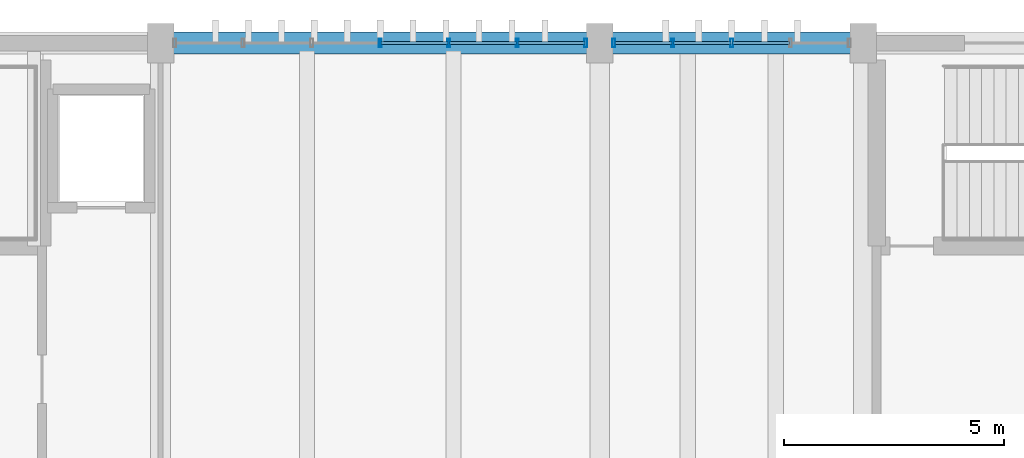
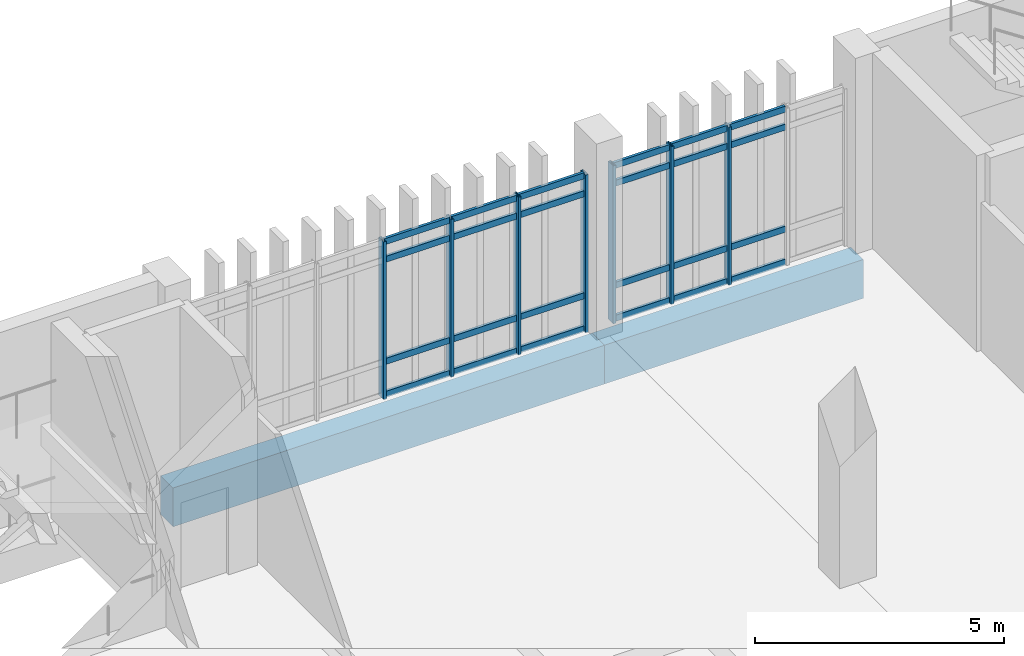
# One storey, part 54 of 87: 31 members, 2 beams, 2 elements without a shape of their own.
"""IFC4 building model written with IfcOpenShell, lengths in metres."""

from ifc_helpers import new_model, si_unit, direction, frame, origin, origin_2d, place, context, subcontext, project, spatial, rectangle, hollow_rectangle, extrude, material, layer, layer_set, material_profile, profile_set, type_object, element, aggregate, save


model = new_model("IFC4")

# Units and contexts
model_context = context("Model", 3, precision=1e-05, world=origin(), true_north=direction((0.0, 1.0)))
body_context = subcontext(model_context, "Body", "Model", "MODEL_VIEW")
ifc_project = project(units=[si_unit("LENGTHUNIT", "METRE"), si_unit("AREAUNIT", "SQUARE_METRE"), si_unit("VOLUMEUNIT", "CUBIC_METRE"), si_unit("PLANEANGLEUNIT", "RADIAN"), si_unit("MASSUNIT", "GRAM", prefix="KILO")], contexts=[model_context])

# Site, building, storey
site_placement = place(None, origin())
site = spatial("IfcSite", under=ifc_project, at=site_placement, CompositionType="ELEMENT")
building_placement = place(site_placement, origin())
building = spatial("IfcBuilding", under=site, at=building_placement, Name="Mersad Railyard Sports Hall", CompositionType="ELEMENT")
storey_placement = place(building_placement, origin())
storey = spatial("IfcBuildingStorey", under=building, at=storey_placement, Name="L00", CompositionType="ELEMENT", Elevation=0.0)

# Curtain wall, members
ifc_material_1 = material(Name="Aluminium 6063-T6", Category="aluminium")
ifc_layer_1 = layer(ifc_material_1, 0.199951171875)
ifc_layer_set_1 = layer_set([ifc_layer_1], Name="Aluminium 6063-T6")
curtain_wall_type_1 = type_object("IfcCurtainWallType", Name="ARC-CW-CW29", PredefinedType="USERDEFINED", material=ifc_layer_set_1)
curtain_wall_1_placement = place(storey_placement, origin())
curtain_wall_1 = element("IfcCurtainWall", 1, at=curtain_wall_1_placement, inside=storey, type_object=curtain_wall_type_1, Name="Curtain wall CW29-0086", ObjectType="CURTAIN WALL", PredefinedType="USERDEFINED")
ifc_material_profile_1 = material_profile(ifc_material_1, hollow_rectangle(XDim=0.06494140625, YDim=0.199951171875, WallThickness=0.0048828125, at=origin_2d()), Name="AL MULLION 65x200x5")
ifc_profile_set_1 = profile_set([ifc_material_profile_1], Name="Aluminium 6063-T6")
member_type_1 = type_object("IfcMemberType", Name="ARC-CW-MUL02", PredefinedType="MULLION", material=ifc_profile_set_1)
member_1_placement = place(storey_placement, frame((126.0, 115.0, -0.02001953125), z_axis=(0.0, 0.0, 1.0), x_axis=(1.0, 0.0, 0.0)))
member_1 = element("IfcMember", 2, at=member_1_placement, type_object=member_type_1, Name="CW29 Mullion 4", PredefinedType="MULLION", context=body_context, shape_type="SweptSolid", body=[
    extrude(hollow_rectangle(XDim=0.06494140625, YDim=0.199951171875, WallThickness=0.0048828125, at=origin_2d()), origin(), (0.0, 0.0, 1.0), 3.8701171875),
])
member_2_placement = place(storey_placement, frame((127.56005859375, 115.0, -0.02001953125), z_axis=(0.0, 0.0, 1.0), x_axis=(1.0, 0.0, 0.0)))
member_2 = element("IfcMember", 3, at=member_2_placement, type_object=member_type_1, Name="CW29 Mullion 5", PredefinedType="MULLION", context=body_context, shape_type="SweptSolid", body=[
    extrude(hollow_rectangle(XDim=0.06494140625, YDim=0.199951171875, WallThickness=0.0048828125, at=origin_2d()), origin(), (0.0, 0.0, 1.0), 3.8701171875),
])
member_3_placement = place(storey_placement, frame((129.1201171875, 115.0, -0.02001953125), z_axis=(0.0, 0.0, 1.0), x_axis=(1.0, 0.0, 0.0)))
member_3 = element("IfcMember", 4, at=member_3_placement, type_object=member_type_1, Name="CW29 Mullion 6", PredefinedType="MULLION", context=body_context, shape_type="SweptSolid", body=[
    extrude(hollow_rectangle(XDim=0.06494140625, YDim=0.199951171875, WallThickness=0.0048828125, at=origin_2d()), origin(), (0.0, 0.0, 1.0), 3.8701171875),
])
member_4_placement = place(storey_placement, frame((130.679931640625, 115.0, -0.02001953125), z_axis=(0.0, 0.0, 1.0), x_axis=(1.0, 0.0, 0.0)))
member_4 = element("IfcMember", 5, at=member_4_placement, type_object=member_type_1, Name="CW29 Mullion 7", PredefinedType="MULLION", context=body_context, shape_type="SweptSolid", body=[
    extrude(hollow_rectangle(XDim=0.06494140625, YDim=0.199951171875, WallThickness=0.0048828125, at=origin_2d()), origin(), (0.0, 0.0, 1.0), 3.8701171875),
])

ifc_layer_2 = layer(ifc_material_1, 0.199951171875)
ifc_layer_set_2 = layer_set([ifc_layer_2], Name="Aluminium 6063-T6")
curtain_wall_type_2 = type_object("IfcCurtainWallType", Name="ARC-CW-CW30", PredefinedType="USERDEFINED", material=ifc_layer_set_2)
curtain_wall_2_placement = place(storey_placement, origin())
curtain_wall_2 = element("IfcCurtainWall", 6, at=curtain_wall_2_placement, inside=storey, type_object=curtain_wall_type_2, Name="Curtain wall CW30-0087", ObjectType="CURTAIN WALL", PredefinedType="USERDEFINED")
member_5_placement = place(storey_placement, frame((131.320068359375, 115.0, -0.02001953125), z_axis=(0.0, 0.0, 1.0), x_axis=(1.0, 0.0, 0.0)))
member_5 = element("IfcMember", 7, at=member_5_placement, type_object=member_type_1, Name="CW30 Mullion 1", PredefinedType="MULLION", context=body_context, shape_type="SweptSolid", body=[
    extrude(hollow_rectangle(XDim=0.06494140625, YDim=0.199951171875, WallThickness=0.0048828125, at=origin_2d()), origin(), (0.0, 0.0, 1.0), 3.8701171875),
])
member_6_placement = place(storey_placement, frame((132.659912109375, 115.0, -0.02001953125), z_axis=(0.0, 0.0, 1.0), x_axis=(1.0, 0.0, 0.0)))
member_6 = element("IfcMember", 8, at=member_6_placement, type_object=member_type_1, Name="CW30 Mullion 2", PredefinedType="MULLION", context=body_context, shape_type="SweptSolid", body=[
    extrude(hollow_rectangle(XDim=0.06494140625, YDim=0.199951171875, WallThickness=0.0048828125, at=origin_2d()), origin(), (0.0, 0.0, 1.0), 3.8701171875),
])
member_7_placement = place(storey_placement, frame((134.0, 115.0, -0.02001953125), z_axis=(0.0, 0.0, 1.0), x_axis=(1.0, 0.0, 0.0)))
member_7 = element("IfcMember", 9, at=member_7_placement, type_object=member_type_1, Name="CW30 Mullion 3", PredefinedType="MULLION", context=body_context, shape_type="SweptSolid", body=[
    extrude(hollow_rectangle(XDim=0.06494140625, YDim=0.199951171875, WallThickness=0.0048828125, at=origin_2d()), origin(), (0.0, 0.0, 1.0), 3.8701171875),
])

# Member
ifc_material_profile_2 = material_profile(ifc_material_1, hollow_rectangle(XDim=0.06494140625, YDim=0.14990234375, WallThickness=0.00439453125, at=origin_2d()), Name="AL TRANSOM 65x150x4.5")
ifc_profile_set_2 = profile_set([ifc_material_profile_2], Name="Aluminium 6063-T6")
member_type_2 = type_object("IfcMemberType", Name="ARC-CW-TRN02", PredefinedType="USERDEFINED", material=ifc_profile_set_2)
member_8_placement = place(storey_placement, frame((126.02001953125, 115.0, 0.0400390625), z_axis=(1.0, 0.0, 0.0), x_axis=(0.0, 1.0, 0.0)))
member_8 = element("IfcMember", 10, at=member_8_placement, type_object=member_type_2, Name="CW29 Transom 1-4", ObjectType="TRANSOM", PredefinedType="USERDEFINED", context=body_context, shape_type="SweptSolid", body=[
    extrude(hollow_rectangle(XDim=0.06494140625, YDim=0.14990234375, WallThickness=0.00439453125, at=origin_2d()), origin(), (0.0, 0.0, 1.0), 1.52001953125),
])

member_9_placement = place(storey_placement, frame((127.580078125, 115.0, 0.0400390625), z_axis=(1.0, 0.0, 0.0), x_axis=(0.0, 1.0, 0.0)))
member_9 = element("IfcMember", 11, at=member_9_placement, type_object=member_type_2, Name="CW29 Transom 1-5", ObjectType="TRANSOM", PredefinedType="USERDEFINED", context=body_context, shape_type="SweptSolid", body=[
    extrude(hollow_rectangle(XDim=0.06494140625, YDim=0.14990234375, WallThickness=0.00439453125, at=origin_2d()), origin(), (0.0, 0.0, 1.0), 1.52001953125),
])

member_10_placement = place(storey_placement, frame((129.139892578125, 115.0, 0.0400390625), z_axis=(1.0, 0.0, 0.0), x_axis=(0.0, 1.0, 0.0)))
member_10 = element("IfcMember", 12, at=member_10_placement, type_object=member_type_2, Name="CW29 Transom 1-6", ObjectType="TRANSOM", PredefinedType="USERDEFINED", context=body_context, shape_type="SweptSolid", body=[
    extrude(hollow_rectangle(XDim=0.06494140625, YDim=0.14990234375, WallThickness=0.00439453125, at=origin_2d()), origin(), (0.0, 0.0, 1.0), 1.52001953125),
])

member_11_placement = place(storey_placement, frame((126.02001953125, 115.0, 0.85009765625), z_axis=(1.0, 0.0, 0.0), x_axis=(0.0, 1.0, 0.0)))
member_11 = element("IfcMember", 13, at=member_11_placement, type_object=member_type_2, Name="CW29 Transom 2-4", ObjectType="TRANSOM", PredefinedType="USERDEFINED", context=body_context, shape_type="SweptSolid", body=[
    extrude(hollow_rectangle(XDim=0.06494140625, YDim=0.14990234375, WallThickness=0.00439453125, at=origin_2d()), origin(), (0.0, 0.0, 1.0), 1.52001953125),
])

member_12_placement = place(storey_placement, frame((127.580078125, 115.0, 0.85009765625), z_axis=(1.0, 0.0, 0.0), x_axis=(0.0, 1.0, 0.0)))
member_12 = element("IfcMember", 14, at=member_12_placement, type_object=member_type_2, Name="CW29 Transom 2-5", ObjectType="TRANSOM", PredefinedType="USERDEFINED", context=body_context, shape_type="SweptSolid", body=[
    extrude(hollow_rectangle(XDim=0.06494140625, YDim=0.14990234375, WallThickness=0.00439453125, at=origin_2d()), origin(), (0.0, 0.0, 1.0), 1.52001953125),
])

member_13_placement = place(storey_placement, frame((129.139892578125, 115.0, 0.85009765625), z_axis=(1.0, 0.0, 0.0), x_axis=(0.0, 1.0, 0.0)))
member_13 = element("IfcMember", 15, at=member_13_placement, type_object=member_type_2, Name="CW29 Transom 2-6", ObjectType="TRANSOM", PredefinedType="USERDEFINED", context=body_context, shape_type="SweptSolid", body=[
    extrude(hollow_rectangle(XDim=0.06494140625, YDim=0.14990234375, WallThickness=0.00439453125, at=origin_2d()), origin(), (0.0, 0.0, 1.0), 1.52001953125),
])

member_14_placement = place(storey_placement, frame((126.02001953125, 115.0, 3.35009765625), z_axis=(1.0, 0.0, 0.0), x_axis=(0.0, 1.0, 0.0)))
member_14 = element("IfcMember", 16, at=member_14_placement, type_object=member_type_2, Name="CW29 Transom 3-4", ObjectType="TRANSOM", PredefinedType="USERDEFINED", context=body_context, shape_type="SweptSolid", body=[
    extrude(hollow_rectangle(XDim=0.06494140625, YDim=0.14990234375, WallThickness=0.00439453125, at=origin_2d()), origin(), (0.0, 0.0, 1.0), 1.52001953125),
])

member_15_placement = place(storey_placement, frame((127.580078125, 115.0, 3.35009765625), z_axis=(1.0, 0.0, 0.0), x_axis=(0.0, 1.0, 0.0)))
member_15 = element("IfcMember", 17, at=member_15_placement, type_object=member_type_2, Name="CW29 Transom 3-5", ObjectType="TRANSOM", PredefinedType="USERDEFINED", context=body_context, shape_type="SweptSolid", body=[
    extrude(hollow_rectangle(XDim=0.06494140625, YDim=0.14990234375, WallThickness=0.00439453125, at=origin_2d()), origin(), (0.0, 0.0, 1.0), 1.52001953125),
])

member_16_placement = place(storey_placement, frame((129.139892578125, 115.0, 3.35009765625), z_axis=(1.0, 0.0, 0.0), x_axis=(0.0, 1.0, 0.0)))
member_16 = element("IfcMember", 18, at=member_16_placement, type_object=member_type_2, Name="CW29 Transom 3-6", ObjectType="TRANSOM", PredefinedType="USERDEFINED", context=body_context, shape_type="SweptSolid", body=[
    extrude(hollow_rectangle(XDim=0.06494140625, YDim=0.14990234375, WallThickness=0.00439453125, at=origin_2d()), origin(), (0.0, 0.0, 1.0), 1.52001953125),
])

member_17_placement = place(storey_placement, frame((126.02001953125, 115.0, 3.7900390625), z_axis=(1.0, 0.0, 0.0), x_axis=(0.0, 1.0, 0.0)))
member_17 = element("IfcMember", 19, at=member_17_placement, type_object=member_type_2, Name="CW29 Transom 4-4", ObjectType="TRANSOM", PredefinedType="USERDEFINED", context=body_context, shape_type="SweptSolid", body=[
    extrude(hollow_rectangle(XDim=0.06494140625, YDim=0.14990234375, WallThickness=0.00439453125, at=origin_2d()), origin(), (0.0, 0.0, 1.0), 1.52001953125),
])

member_18_placement = place(storey_placement, frame((127.580078125, 115.0, 3.7900390625), z_axis=(1.0, 0.0, 0.0), x_axis=(0.0, 1.0, 0.0)))
member_18 = element("IfcMember", 20, at=member_18_placement, type_object=member_type_2, Name="CW29 Transom 4-5", ObjectType="TRANSOM", PredefinedType="USERDEFINED", context=body_context, shape_type="SweptSolid", body=[
    extrude(hollow_rectangle(XDim=0.06494140625, YDim=0.14990234375, WallThickness=0.00439453125, at=origin_2d()), origin(), (0.0, 0.0, 1.0), 1.52001953125),
])

member_19_placement = place(storey_placement, frame((129.139892578125, 115.0, 3.7900390625), z_axis=(1.0, 0.0, 0.0), x_axis=(0.0, 1.0, 0.0)))
member_19 = element("IfcMember", 21, at=member_19_placement, type_object=member_type_2, Name="CW29 Transom 4-6", ObjectType="TRANSOM", PredefinedType="USERDEFINED", context=body_context, shape_type="SweptSolid", body=[
    extrude(hollow_rectangle(XDim=0.06494140625, YDim=0.14990234375, WallThickness=0.00439453125, at=origin_2d()), origin(), (0.0, 0.0, 1.0), 1.52001953125),
])

aggregate(curtain_wall_1, [member_1, member_2, member_3, member_4, member_8, member_9, member_10, member_11, member_12, member_13, member_14, member_15, member_16, member_17, member_18, member_19])

member_20_placement = place(storey_placement, frame((131.340087890625, 115.0, 0.0400390625), z_axis=(1.0, 0.0, 0.0), x_axis=(0.0, 1.0, 0.0)))
member_20 = element("IfcMember", 22, at=member_20_placement, type_object=member_type_2, Name="CW30 Transom 1-1", ObjectType="TRANSOM", PredefinedType="USERDEFINED", context=body_context, shape_type="SweptSolid", body=[
    extrude(hollow_rectangle(XDim=0.06494140625, YDim=0.14990234375, WallThickness=0.00439453125, at=origin_2d()), origin(), (0.0, 0.0, 1.0), 1.2998046875),
])

member_21_placement = place(storey_placement, frame((132.679931640625, 115.0, 0.0400390625), z_axis=(1.0, 0.0, 0.0), x_axis=(0.0, 1.0, 0.0)))
member_21 = element("IfcMember", 23, at=member_21_placement, type_object=member_type_2, Name="CW30 Transom 1-2", ObjectType="TRANSOM", PredefinedType="USERDEFINED", context=body_context, shape_type="SweptSolid", body=[
    extrude(hollow_rectangle(XDim=0.06494140625, YDim=0.14990234375, WallThickness=0.00439453125, at=origin_2d()), origin(), (0.0, 0.0, 1.0), 1.300048828125),
])

member_22_placement = place(storey_placement, frame((134.02001953125, 115.0, 0.0400390625), z_axis=(1.0, 0.0, 0.0), x_axis=(0.0, 1.0, 0.0)))
member_22 = element("IfcMember", 24, at=member_22_placement, type_object=member_type_2, Name="CW30 Transom 1-3", ObjectType="TRANSOM", PredefinedType="USERDEFINED", context=body_context, shape_type="SweptSolid", body=[
    extrude(hollow_rectangle(XDim=0.06494140625, YDim=0.14990234375, WallThickness=0.00439453125, at=origin_2d()), origin(), (0.0, 0.0, 1.0), 1.300048828125),
])

member_23_placement = place(storey_placement, frame((131.340087890625, 115.0, 0.85009765625), z_axis=(1.0, 0.0, 0.0), x_axis=(0.0, 1.0, 0.0)))
member_23 = element("IfcMember", 25, at=member_23_placement, type_object=member_type_2, Name="CW30 Transom 2-1", ObjectType="TRANSOM", PredefinedType="USERDEFINED", context=body_context, shape_type="SweptSolid", body=[
    extrude(hollow_rectangle(XDim=0.06494140625, YDim=0.14990234375, WallThickness=0.00439453125, at=origin_2d()), origin(), (0.0, 0.0, 1.0), 1.2998046875),
])

member_24_placement = place(storey_placement, frame((132.679931640625, 115.0, 0.85009765625), z_axis=(1.0, 0.0, 0.0), x_axis=(0.0, 1.0, 0.0)))
member_24 = element("IfcMember", 26, at=member_24_placement, type_object=member_type_2, Name="CW30 Transom 2-2", ObjectType="TRANSOM", PredefinedType="USERDEFINED", context=body_context, shape_type="SweptSolid", body=[
    extrude(hollow_rectangle(XDim=0.06494140625, YDim=0.14990234375, WallThickness=0.00439453125, at=origin_2d()), origin(), (0.0, 0.0, 1.0), 1.300048828125),
])

member_25_placement = place(storey_placement, frame((134.02001953125, 115.0, 0.85009765625), z_axis=(1.0, 0.0, 0.0), x_axis=(0.0, 1.0, 0.0)))
member_25 = element("IfcMember", 27, at=member_25_placement, type_object=member_type_2, Name="CW30 Transom 2-3", ObjectType="TRANSOM", PredefinedType="USERDEFINED", context=body_context, shape_type="SweptSolid", body=[
    extrude(hollow_rectangle(XDim=0.06494140625, YDim=0.14990234375, WallThickness=0.00439453125, at=origin_2d()), origin(), (0.0, 0.0, 1.0), 1.300048828125),
])

member_26_placement = place(storey_placement, frame((131.340087890625, 115.0, 3.35009765625), z_axis=(1.0, 0.0, 0.0), x_axis=(0.0, 1.0, 0.0)))
member_26 = element("IfcMember", 28, at=member_26_placement, type_object=member_type_2, Name="CW30 Transom 3-1", ObjectType="TRANSOM", PredefinedType="USERDEFINED", context=body_context, shape_type="SweptSolid", body=[
    extrude(hollow_rectangle(XDim=0.06494140625, YDim=0.14990234375, WallThickness=0.00439453125, at=origin_2d()), origin(), (0.0, 0.0, 1.0), 1.2998046875),
])

member_27_placement = place(storey_placement, frame((132.679931640625, 115.0, 3.35009765625), z_axis=(1.0, 0.0, 0.0), x_axis=(0.0, 1.0, 0.0)))
member_27 = element("IfcMember", 29, at=member_27_placement, type_object=member_type_2, Name="CW30 Transom 3-2", ObjectType="TRANSOM", PredefinedType="USERDEFINED", context=body_context, shape_type="SweptSolid", body=[
    extrude(hollow_rectangle(XDim=0.06494140625, YDim=0.14990234375, WallThickness=0.00439453125, at=origin_2d()), origin(), (0.0, 0.0, 1.0), 1.300048828125),
])

member_28_placement = place(storey_placement, frame((134.02001953125, 115.0, 3.35009765625), z_axis=(1.0, 0.0, 0.0), x_axis=(0.0, 1.0, 0.0)))
member_28 = element("IfcMember", 30, at=member_28_placement, type_object=member_type_2, Name="CW30 Transom 3-3", ObjectType="TRANSOM", PredefinedType="USERDEFINED", context=body_context, shape_type="SweptSolid", body=[
    extrude(hollow_rectangle(XDim=0.06494140625, YDim=0.14990234375, WallThickness=0.00439453125, at=origin_2d()), origin(), (0.0, 0.0, 1.0), 1.300048828125),
])

member_29_placement = place(storey_placement, frame((131.340087890625, 115.0, 3.7900390625), z_axis=(1.0, 0.0, 0.0), x_axis=(0.0, 1.0, 0.0)))
member_29 = element("IfcMember", 31, at=member_29_placement, type_object=member_type_2, Name="CW30 Transom 4-1", ObjectType="TRANSOM", PredefinedType="USERDEFINED", context=body_context, shape_type="SweptSolid", body=[
    extrude(hollow_rectangle(XDim=0.06494140625, YDim=0.14990234375, WallThickness=0.00439453125, at=origin_2d()), origin(), (0.0, 0.0, 1.0), 1.2998046875),
])

member_30_placement = place(storey_placement, frame((132.679931640625, 115.0, 3.7900390625), z_axis=(1.0, 0.0, 0.0), x_axis=(0.0, 1.0, 0.0)))
member_30 = element("IfcMember", 32, at=member_30_placement, type_object=member_type_2, Name="CW30 Transom 4-2", ObjectType="TRANSOM", PredefinedType="USERDEFINED", context=body_context, shape_type="SweptSolid", body=[
    extrude(hollow_rectangle(XDim=0.06494140625, YDim=0.14990234375, WallThickness=0.00439453125, at=origin_2d()), origin(), (0.0, 0.0, 1.0), 1.300048828125),
])

member_31_placement = place(storey_placement, frame((134.02001953125, 115.0, 3.7900390625), z_axis=(1.0, 0.0, 0.0), x_axis=(0.0, 1.0, 0.0)))
member_31 = element("IfcMember", 33, at=member_31_placement, type_object=member_type_2, Name="CW30 Transom 4-3", ObjectType="TRANSOM", PredefinedType="USERDEFINED", context=body_context, shape_type="SweptSolid", body=[
    extrude(hollow_rectangle(XDim=0.06494140625, YDim=0.14990234375, WallThickness=0.00439453125, at=origin_2d()), origin(), (0.0, 0.0, 1.0), 1.300048828125),
])

aggregate(curtain_wall_2, [member_5, member_6, member_7, member_20, member_21, member_22, member_23, member_24, member_25, member_26, member_27, member_28, member_29, member_30, member_31])

# Beams
ifc_material_2 = material(Name="Concrete C50/60", Category="concrete")
ifc_material_profile_3 = material_profile(ifc_material_2, rectangle(XDim=0.5, YDim=0.949951171875, at=origin_2d()), Name="RC 500x950")
ifc_profile_set_3 = profile_set([ifc_material_profile_3], Name="Concrete C50/60")
beam_type = type_object("IfcBeamType", Name="STR-BM-B03", PredefinedType="BEAM", material=ifc_profile_set_3)
beam_1_placement = place(storey_placement, frame((121.0, 115.0, -0.824951171875), z_axis=(1.0, 0.0, 0.0), x_axis=(0.0, 1.0, 0.0)))
element("IfcBeam", 34, at=beam_1_placement, inside=storey, type_object=beam_type, Name="Beam B03-0173", PredefinedType="BEAM", context=body_context, shape_type="SweptSolid", body=[
    extrude(rectangle(XDim=0.5, YDim=0.949951171875, at=origin_2d()), origin(), (0.0, 0.0, 1.0), 10.0),
])
beam_2_placement = place(storey_placement, frame((131.0, 115.0, -0.824951171875), z_axis=(1.0, 0.0, 0.0), x_axis=(0.0, 1.0, 0.0)))
element("IfcBeam", 35, at=beam_2_placement, inside=storey, type_object=beam_type, Name="Beam B03-0208", PredefinedType="BEAM", context=body_context, shape_type="SweptSolid", body=[
    extrude(rectangle(XDim=0.5, YDim=0.949951171875, at=origin_2d()), origin(), (0.0, 0.0, 1.0), 6.0),
])

save(model, "model.ifc")
